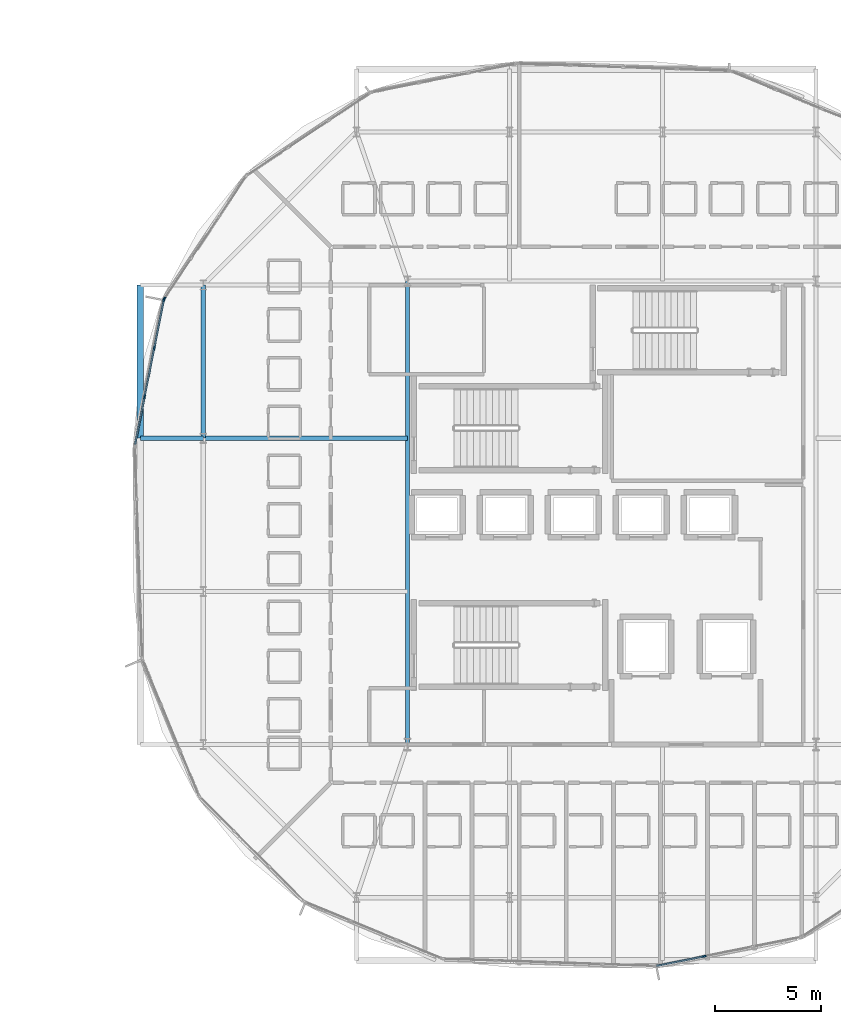
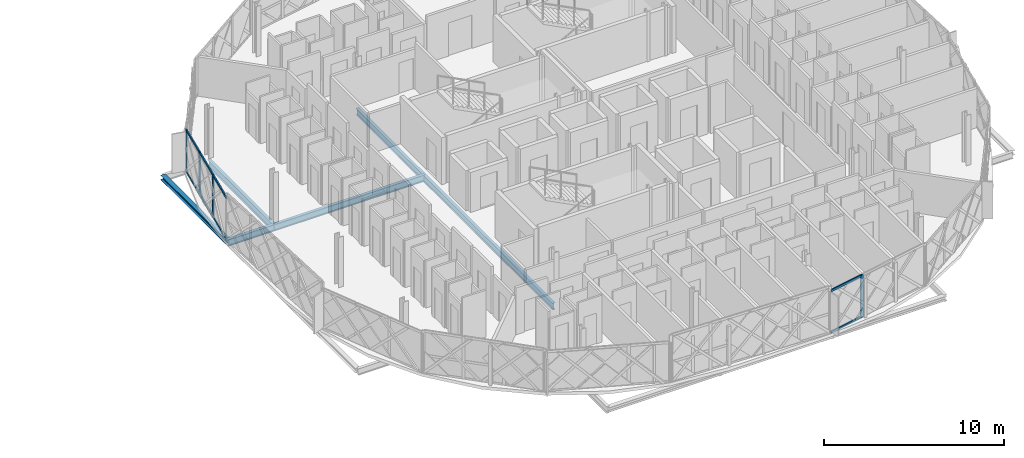
# One storey, part 7 of 25: 13 members, 5 beams, 3 elements without a shape of their own.
"""IFC4 building model written with IfcOpenShell, lengths in metres."""

from ifc_helpers import new_model, si_unit, direction, frame, origin, origin_2d, place, context, subcontext, project, spatial, rectangle, i_section, extrude, material, layer, layer_set, material_profile, profile_set, type_object, element, aggregate, save


model = new_model("IFC4")

# Units and contexts
model_context = context("Model", 3, precision=1e-05, world=origin(), true_north=direction((0.0, 1.0)))
body_context = subcontext(model_context, "Body", "Model", "MODEL_VIEW")
ifc_project = project(units=[si_unit("LENGTHUNIT", "METRE"), si_unit("AREAUNIT", "SQUARE_METRE"), si_unit("VOLUMEUNIT", "CUBIC_METRE"), si_unit("PLANEANGLEUNIT", "RADIAN"), si_unit("MASSUNIT", "GRAM", prefix="KILO")], contexts=[model_context])

# Site, building, storey
site_placement = place(None, origin())
site = spatial("IfcSite", under=ifc_project, at=site_placement, CompositionType="ELEMENT")
building_placement = place(site_placement, origin())
building = spatial("IfcBuilding", under=site, at=building_placement, Name="Zevrakil Square Congress Hotel", CompositionType="ELEMENT")
storey_placement = place(building_placement, frame((0.0, 0.0, 28.300048828125)))
storey = spatial("IfcBuildingStorey", under=building, at=storey_placement, Name="L08", CompositionType="ELEMENT", Elevation=28.300048828125)

# Beams
ifc_material_1 = material(Name="Steel S355", Category="steel")
ifc_material_profile_1 = material_profile(ifc_material_1, i_section(OverallWidth=0.18994140625, OverallDepth=0.449951171875, WebThickness=0.009521484375, FlangeThickness=0.0146484375, FilletRadius=0.02099609375, at=origin_2d()), Name="IPE 450")
ifc_profile_set_1 = profile_set([ifc_material_profile_1], Name="Steel S355")
beam_type_1 = type_object("IfcBeamType", Name="BM-IPE450", PredefinedType="BEAM", material=ifc_profile_set_1)
beam_1_placement = place(storey_placement, frame((136.800048828125, 38.60009765625, -0.43505859375), z_axis=(0.0, -1.0, 0.0), x_axis=(1.0, 0.0, 0.0)))
element("IfcBeam", 1, at=beam_1_placement, inside=storey, type_object=beam_type_1, Name="L08 drum core perimeter tie beam DCB-04", PredefinedType="BEAM", context=body_context, shape_type="SweptSolid", body=[
    extrude(i_section(OverallWidth=0.18994140625, OverallDepth=0.449951171875, WebThickness=0.009521484375, FlangeThickness=0.0146484375, FilletRadius=0.02099609375, at=origin_2d()), origin(), (0.0, 0.0, 1.0), 21.800048828125),
])
beam_2_placement = place(storey_placement, frame((136.800048828125, 31.199951171875, -0.43505859375), z_axis=(-1.0, 0.0, 0.0), x_axis=(0.0, -1.0, 0.0)))
element("IfcBeam", 2, at=beam_2_placement, inside=storey, type_object=beam_type_1, Name="L08 drum radial floor beam DRI-14", PredefinedType="BEAM", context=body_context, shape_type="SweptSolid", body=[
    extrude(i_section(OverallWidth=0.18994140625, OverallDepth=0.449951171875, WebThickness=0.009521484375, FlangeThickness=0.0146484375, FilletRadius=0.02099609375, at=origin_2d()), origin(), (0.0, 0.0, 1.0), 9.60009765625),
])
beam_3_placement = place(storey_placement, frame((127.199951171875, 31.199951171875, -0.43505859375), z_axis=(-1.0, 0.0, 0.0), x_axis=(0.0, -1.0, 0.0)))
element("IfcBeam", 3, at=beam_3_placement, inside=storey, type_object=beam_type_1, Name="L08 drum radial edge cantilever beam DRO-14", PredefinedType="BEAM", context=body_context, shape_type="SweptSolid", body=[
    extrude(i_section(OverallWidth=0.18994140625, OverallDepth=0.449951171875, WebThickness=0.009521484375, FlangeThickness=0.0146484375, FilletRadius=0.02099609375, at=origin_2d()), origin(), (0.0, 0.0, 1.0), 2.954345703125),
])
ifc_material_2 = material(Name="Steel S355", Category="steel")
ifc_material_profile_2 = material_profile(ifc_material_2, i_section(OverallWidth=0.199951171875, OverallDepth=0.5, WebThickness=0.01025390625, FlangeThickness=0.01611328125, FilletRadius=0.02099609375, at=origin_2d()), Name="IPE 500")
ifc_profile_set_2 = profile_set([ifc_material_profile_2], Name="Steel S355")
beam_type_2 = type_object("IfcBeamType", Name="BM-IPE500", PredefinedType="BEAM", material=ifc_profile_set_2)
beam_4_placement = place(storey_placement, frame((127.199951171875, 38.39990234375, -0.4599609375), z_axis=(0.0, -1.0, 0.0), x_axis=(1.0, 0.0, 0.0)))
element("IfcBeam", 4, at=beam_4_placement, inside=storey, type_object=beam_type_2, Name="L08 drum ring girder DRB-13", PredefinedType="BEAM", context=body_context, shape_type="SweptSolid", body=[
    extrude(i_section(OverallWidth=0.199951171875, OverallDepth=0.5, WebThickness=0.01025390625, FlangeThickness=0.01611328125, FilletRadius=0.02099609375, at=origin_2d()), origin(), (0.0, 0.0, 1.0), 7.199951171875),
])

# Curtain wall, members
ifc_material_3 = material(Name="Aluminium Anodised Bronze", Category="aluminium")
ifc_layer = layer(ifc_material_3, 0.179931640625)
ifc_layer_set = layer_set([ifc_layer], Name="Aluminium Anodised Bronze")
curtain_wall_type = type_object("IfcCurtainWallType", Name="CW-L08-720", PredefinedType="USERDEFINED", material=ifc_layer_set)
curtain_wall_1_placement = place(storey_placement, origin())
curtain_wall_1 = element("IfcCurtainWall", 5, at=curtain_wall_1_placement, inside=storey, type_object=curtain_wall_type, Name="L08 diamond curtain wall CW-L08-0235", ObjectType="GLAZED CURTAIN WALL", PredefinedType="USERDEFINED")
ifc_material_4 = material(Name="Aluminium Anodised Bronze", Category="aluminium")
ifc_material_profile_3 = material_profile(ifc_material_4, rectangle(XDim=0.074951171875, YDim=0.14990234375, at=origin_2d()), Name="ALU 75x150")
ifc_profile_set_3 = profile_set([ifc_material_profile_3], Name="Aluminium Anodised Bronze")
member_type_1 = type_object("IfcMemberType", Name="CWM-ALU75x150", PredefinedType="USERDEFINED", material=ifc_profile_set_3)
member_1_placement = place(storey_placement, frame((148.518310546875, 6.397216796875, 0.030029296875), z_axis=(0.98078922397, 0.195070495322, 0.0), x_axis=(-0.195070495322, 0.98078922397, 0.0)))
member_1 = element("IfcMember", 6, at=member_1_placement, type_object=member_type_1, Name="CW-94 transom 1.1", ObjectType="TRANSOM", PredefinedType="USERDEFINED", context=body_context, shape_type="SweptSolid", body=[
    extrude(rectangle(XDim=0.074951171875, YDim=0.14990234375, at=origin_2d()), origin(), (0.0, 0.0, 1.0), 2.245361328125),
])
member_2_placement = place(storey_placement, frame((148.518310546875, 6.397216796875, 2.829833984375), z_axis=(0.98078922397, 0.195070495322, 0.0), x_axis=(-0.195070495322, 0.98078922397, 0.0)))
member_2 = element("IfcMember", 7, at=member_2_placement, type_object=member_type_1, Name="CW-94 transom 1.2", ObjectType="TRANSOM", PredefinedType="USERDEFINED", context=body_context, shape_type="SweptSolid", body=[
    extrude(rectangle(XDim=0.074951171875, YDim=0.14990234375, at=origin_2d()), origin(), (0.0, 0.0, 1.0), 2.245361328125),
])

curtain_wall_2_placement = place(storey_placement, origin())
curtain_wall_2 = element("IfcCurtainWall", 8, at=curtain_wall_2_placement, inside=storey, type_object=curtain_wall_type, Name="L08 diamond curtain wall CW-L08-0247", ObjectType="GLAZED CURTAIN WALL", PredefinedType="USERDEFINED")
member_3_placement = place(storey_placement, frame((125.340576171875, 37.671630859375, 0.030029296875), z_axis=(-0.195091300997, -0.980785085671, 0.0), x_axis=(0.980785085671, -0.195091300997, 0.0)))
member_3 = element("IfcMember", 9, at=member_3_placement, type_object=member_type_1, Name="CW-94 transom 1.1", ObjectType="TRANSOM", PredefinedType="USERDEFINED", context=body_context, shape_type="SweptSolid", body=[
    extrude(rectangle(XDim=0.074951171875, YDim=0.14990234375, at=origin_2d()), origin(), (0.0, 0.0, 1.0), 2.2451171875),
])
member_4_placement = place(storey_placement, frame((125.340576171875, 37.671630859375, 2.829833984375), z_axis=(-0.195091300997, -0.980785085671, 0.0), x_axis=(0.980785085671, -0.195091300997, 0.0)))
member_4 = element("IfcMember", 10, at=member_4_placement, type_object=member_type_1, Name="CW-94 transom 1.2", ObjectType="TRANSOM", PredefinedType="USERDEFINED", context=body_context, shape_type="SweptSolid", body=[
    extrude(rectangle(XDim=0.074951171875, YDim=0.14990234375, at=origin_2d()), origin(), (0.0, 0.0, 1.0), 2.2451171875),
])
member_5_placement = place(storey_placement, frame((124.890869140625, 35.410888671875, 0.030029296875), z_axis=(-0.19506369837, -0.9807905758, 0.0), x_axis=(0.9807905758, -0.19506369837, 0.0)))
member_5 = element("IfcMember", 11, at=member_5_placement, type_object=member_type_1, Name="CW-94 transom 2.1", ObjectType="TRANSOM", PredefinedType="USERDEFINED", context=body_context, shape_type="SweptSolid", body=[
    extrude(rectangle(XDim=0.074951171875, YDim=0.14990234375, at=origin_2d()), origin(), (0.0, 0.0, 1.0), 2.275390625),
])
member_6_placement = place(storey_placement, frame((124.890869140625, 35.410888671875, 2.829833984375), z_axis=(-0.19506369837, -0.9807905758, 0.0), x_axis=(0.9807905758, -0.19506369837, 0.0)))
member_6 = element("IfcMember", 12, at=member_6_placement, type_object=member_type_1, Name="CW-94 transom 2.2", ObjectType="TRANSOM", PredefinedType="USERDEFINED", context=body_context, shape_type="SweptSolid", body=[
    extrude(rectangle(XDim=0.074951171875, YDim=0.14990234375, at=origin_2d()), origin(), (0.0, 0.0, 1.0), 2.275390625),
])
member_7_placement = place(storey_placement, frame((124.435302734375, 33.120361328125, 0.030029296875), z_axis=(-0.195091300997, -0.980785085671, 0.0), x_axis=(0.980785085671, -0.195091300997, 0.0)))
member_7 = element("IfcMember", 13, at=member_7_placement, type_object=member_type_1, Name="CW-94 transom 3.1", ObjectType="TRANSOM", PredefinedType="USERDEFINED", context=body_context, shape_type="SweptSolid", body=[
    extrude(rectangle(XDim=0.074951171875, YDim=0.14990234375, at=origin_2d()), origin(), (0.0, 0.0, 1.0), 2.2451171875),
])
member_8_placement = place(storey_placement, frame((124.435302734375, 33.120361328125, 2.829833984375), z_axis=(-0.195091300997, -0.980785085671, 0.0), x_axis=(0.980785085671, -0.195091300997, 0.0)))
member_8 = element("IfcMember", 14, at=member_8_placement, type_object=member_type_1, Name="CW-94 transom 3.2", ObjectType="TRANSOM", PredefinedType="USERDEFINED", context=body_context, shape_type="SweptSolid", body=[
    extrude(rectangle(XDim=0.074951171875, YDim=0.14990234375, at=origin_2d()), origin(), (0.0, 0.0, 1.0), 2.2451171875),
])

# Member
ifc_material_5 = material(Name="Aluminium Anodised Bronze", Category="aluminium")
ifc_material_profile_4 = material_profile(ifc_material_5, rectangle(XDim=0.074951171875, YDim=0.179931640625, at=origin_2d()), Name="ALU 75x180")
ifc_profile_set_4 = profile_set([ifc_material_profile_4], Name="Aluminium Anodised Bronze")
member_type_2 = type_object("IfcMemberType", Name="CWM-ALU75x180", PredefinedType="MULLION", material=ifc_profile_set_4)
member_9_placement = place(storey_placement, frame((150.749755859375, 6.841064453125, 0.0), z_axis=(0.0, 0.0, 1.0), x_axis=(-0.195083900459, 0.980786557708, 0.0)))
member_9 = element("IfcMember", 15, at=member_9_placement, type_object=member_type_2, Name="CW-94 mullion 2", PredefinedType="MULLION", context=body_context, shape_type="SweptSolid", body=[
    extrude(rectangle(XDim=0.074951171875, YDim=0.179931640625, at=origin_2d()), origin(), (0.0, 0.0, 1.0), 2.85986328125),
])

aggregate(curtain_wall_1, [member_9, member_1, member_2])

# Curtain wall, member
curtain_wall_3_placement = place(storey_placement, origin())
curtain_wall_3 = element("IfcCurtainWall", 16, at=curtain_wall_3_placement, inside=storey, type_object=curtain_wall_type, Name="L08 diamond curtain wall CW-L08-0246", ObjectType="GLAZED CURTAIN WALL", PredefinedType="USERDEFINED")
member_10_placement = place(storey_placement, frame((125.368896484375, 37.755615234375, 0.0), z_axis=(0.0, 0.0, 1.0), x_axis=(0.831465693332, -0.555576098128, 0.0)))
member_10 = element("IfcMember", 17, at=member_10_placement, type_object=member_type_2, Name="CW-94 mullion 4", PredefinedType="MULLION", context=body_context, shape_type="SweptSolid", body=[
    extrude(rectangle(XDim=0.074951171875, YDim=0.179931640625, at=origin_2d()), origin(), (0.0, 0.0, 1.0), 2.7099609375),
])
aggregate(curtain_wall_3, [member_10])

# Member
member_11_placement = place(storey_placement, frame((125.346435546875, 37.701171875, 0.0), z_axis=(0.0, 0.0, 1.0), x_axis=(0.980786557708, -0.195083900459, 0.0)))
member_11 = element("IfcMember", 18, at=member_11_placement, type_object=member_type_2, Name="CW-94 mullion 1", PredefinedType="MULLION", context=body_context, shape_type="SweptSolid", body=[
    extrude(rectangle(XDim=0.074951171875, YDim=0.179931640625, at=origin_2d()), origin(), (0.0, 0.0, 1.0), 2.85986328125),
])

member_12_placement = place(storey_placement, frame((124.896728515625, 35.440185546875, 0.0), z_axis=(0.0, 0.0, 1.0), x_axis=(0.980786557708, -0.195083900459, 0.0)))
member_12 = element("IfcMember", 19, at=member_12_placement, type_object=member_type_2, Name="CW-94 mullion 2", PredefinedType="MULLION", context=body_context, shape_type="SweptSolid", body=[
    extrude(rectangle(XDim=0.074951171875, YDim=0.179931640625, at=origin_2d()), origin(), (0.0, 0.0, 1.0), 2.85986328125),
])

member_13_placement = place(storey_placement, frame((124.441162109375, 33.14990234375, 0.0), z_axis=(0.0, 0.0, 1.0), x_axis=(0.980786557708, -0.195083900459, 0.0)))
member_13 = element("IfcMember", 20, at=member_13_placement, type_object=member_type_2, Name="CW-94 mullion 3", PredefinedType="MULLION", context=body_context, shape_type="SweptSolid", body=[
    extrude(rectangle(XDim=0.074951171875, YDim=0.179931640625, at=origin_2d()), origin(), (0.0, 0.0, 1.0), 2.85986328125),
])

aggregate(curtain_wall_2, [member_11, member_12, member_13, member_3, member_4, member_5, member_6, member_7, member_8])

# Beam
ifc_material_6 = material(Name="Steel S355", Category="steel")
ifc_material_profile_5 = material_profile(ifc_material_6, i_section(OverallWidth=0.300048828125, OverallDepth=0.300048828125, WebThickness=0.010986328125, FlangeThickness=0.01904296875, FilletRadius=0.027099609375, at=origin_2d()), Name="HEB 300")
ifc_profile_set_5 = profile_set([ifc_material_profile_5], Name="Steel S355")
beam_type_3 = type_object("IfcBeamType", Name="SPD-RHS250", PredefinedType="SPANDREL", material=ifc_profile_set_5)
beam_5_placement = place(storey_placement, frame((124.24560546875, 38.39990234375, -0.360107421875), z_axis=(0.0, -1.0, 0.0), x_axis=(1.0, 0.0, 0.0)))
element("IfcBeam", 21, at=beam_5_placement, inside=storey, type_object=beam_type_3, Name="L08 drum edge spandrel beam DSP-12", PredefinedType="SPANDREL", context=body_context, shape_type="SweptSolid", body=[
    extrude(i_section(OverallWidth=0.300048828125, OverallDepth=0.300048828125, WebThickness=0.010986328125, FlangeThickness=0.01904296875, FilletRadius=0.027099609375, at=origin_2d()), origin(), (0.0, 0.0, 1.0), 7.199951171875),
])

save(model, "model.ifc")
